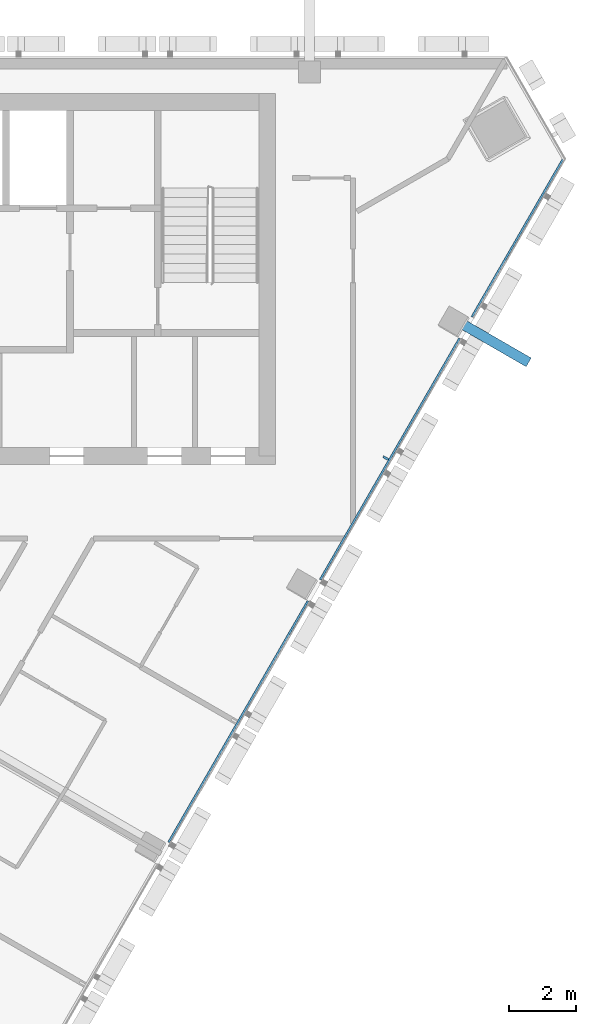
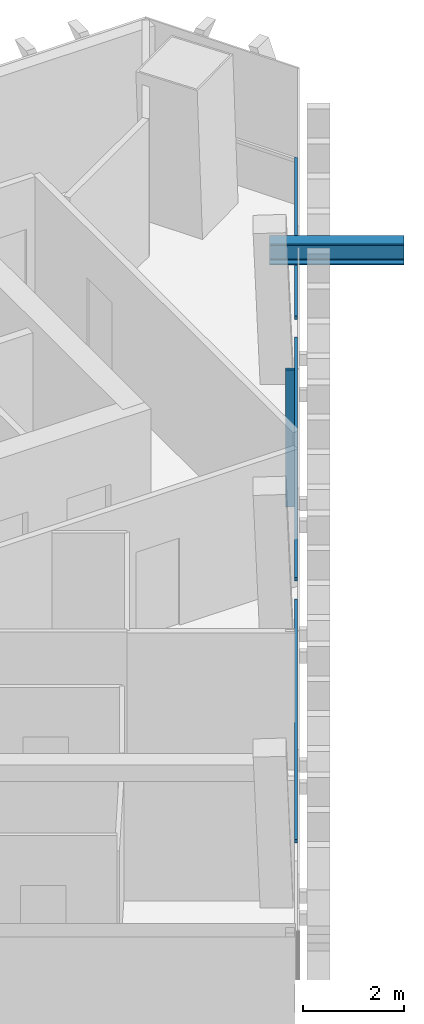
# One storey, part 4 of 12: 5 members, 1 element without a shape of its own.
"""IFC4 building model written with IfcOpenShell, lengths in metres."""

from ifc_helpers import new_model, si_unit, direction, frame, origin, origin_2d, place, context, subcontext, project, spatial, rectangle, i_section, extrude, material, layer, layer_set, material_profile, profile_set, type_object, element, aggregate, save


model = new_model("IFC4")

# Units and contexts
model_context = context("Model", 3, precision=1e-05, world=origin(), true_north=direction((0.0, 1.0)))
body_context = subcontext(model_context, "Body", "Model", "MODEL_VIEW")
ifc_project = project(units=[si_unit("LENGTHUNIT", "METRE"), si_unit("AREAUNIT", "SQUARE_METRE"), si_unit("VOLUMEUNIT", "CUBIC_METRE"), si_unit("PLANEANGLEUNIT", "RADIAN"), si_unit("MASSUNIT", "GRAM", prefix="KILO")], contexts=[model_context])

# Site, building, storey
site_placement = place(None, origin())
site = spatial("IfcSite", under=ifc_project, at=site_placement, CompositionType="ELEMENT")
building_placement = place(site_placement, origin())
building = spatial("IfcBuilding", under=site, at=building_placement, Name="Altiplano Prism Tower", CompositionType="ELEMENT")
storey_placement = place(building_placement, frame((0.0, 0.0, 331.0)))
storey = spatial("IfcBuildingStorey", under=building, at=storey_placement, Name="L86", CompositionType="ELEMENT", Elevation=331.0)

# Member
ifc_material_1 = material(Name="Steel S355", Category="steel")
ifc_material_profile_1 = material_profile(ifc_material_1, i_section(OverallWidth=0.300048828125, OverallDepth=0.5, WebThickness=0.014404296875, FlangeThickness=0.028076171875, FilletRadius=0.027099609375, at=origin_2d()), Name="Brace bracket HEB 500")
ifc_profile_set_1 = profile_set([ifc_material_profile_1], Name="Steel S355")
member_type_1 = type_object("IfcMemberType", Name="Brace bracket HEB 500", PredefinedType="STRUT", material=ifc_profile_set_1)
member_1_placement = place(storey_placement, frame((102.712158203125, 97.25439453125, 2.949951171875), z_axis=(0.866029095148, -0.499993606316, 0.0), x_axis=(0.499993606316, 0.866029095148, 0.0)))
element("IfcMember", 1, at=member_1_placement, inside=storey, type_object=member_type_1, Name="Brace bracket 2.334.6", PredefinedType="STRUT", context=body_context, shape_type="SweptSolid", body=[
    extrude(i_section(OverallWidth=0.300048828125, OverallDepth=0.5, WebThickness=0.014404296875, FlangeThickness=0.028076171875, FilletRadius=0.027099609375, at=origin_2d()), origin(), (0.0, 0.0, 1.0), 2.64990234375),
])

# Curtain wall, members
ifc_material_2 = material(Name="Aluminium and glass", Category="aluminium")
ifc_layer = layer(ifc_material_2, 0.280029296875)
ifc_layer_set = layer_set([ifc_layer], Name="Aluminium and glass")
curtain_wall_type = type_object("IfcCurtainWallType", Name="CW1 typical co-living unitised curtain wall", PredefinedType="NOTDEFINED", material=ifc_layer_set)
curtain_wall_placement = place(storey_placement, origin())
curtain_wall = element("IfcCurtainWall", 2, at=curtain_wall_placement, inside=storey, type_object=curtain_wall_type, Name="CW1 curtain wall south-east face L86", PredefinedType="NOTDEFINED")
ifc_material_3 = material(Name="Aluminium", Category="aluminium")
ifc_material_profile_2 = material_profile(ifc_material_3, rectangle(XDim=0.179931640625, YDim=0.06494140625, at=origin_2d()), Name="CW1 mullion 65 x 180")
ifc_profile_set_2 = profile_set([ifc_material_profile_2], Name="Aluminium")
member_type_2 = type_object("IfcMemberType", Name="CW1 mullion 65 x 180", PredefinedType="MULLION", material=ifc_profile_set_2)
member_2_placement = place(storey_placement, frame((100.767333984375, 93.088623046875, 0.0), z_axis=(0.0, 0.0, 1.0), x_axis=(-0.866025406324, 0.499999995602, 0.0)))
member_2 = element("IfcMember", 3, at=member_2_placement, type_object=member_type_2, Name="CW1 mullion", PredefinedType="MULLION", context=body_context, shape_type="SweptSolid", body=[
    extrude(rectangle(XDim=0.179931640625, YDim=0.06494140625, at=origin_2d()), origin(), (0.0, 0.0, 1.0), 3.300048828125),
])
ifc_material_profile_3 = material_profile(ifc_material_3, rectangle(XDim=0.06005859375, YDim=0.080078125, at=origin_2d()), Name="CW1 transom 80 x 60")
ifc_profile_set_3 = profile_set([ifc_material_profile_3], Name="Aluminium")
member_type_3 = type_object("IfcMemberType", Name="CW1 transom 80 x 60", PredefinedType="USERDEFINED", material=ifc_profile_set_3)
member_3_placement = place(storey_placement, frame((94.323486328125, 81.687744140625, 1.10009765625), z_axis=(0.50000951748, 0.866019908795, 0.0), x_axis=(-0.866019908795, 0.50000951748, 0.0)))
member_3 = element("IfcMember", 4, at=member_3_placement, type_object=member_type_3, Name="CW1 transom", ObjectType="TRANSOM", PredefinedType="USERDEFINED", context=body_context, shape_type="SweptSolid", body=[
    extrude(rectangle(XDim=0.06005859375, YDim=0.080078125, at=origin_2d()), origin(), (0.0, 0.0, 1.0), 8.269775390625),
])
member_4_placement = place(storey_placement, frame((98.823486328125, 89.48193359375, 1.10009765625), z_axis=(0.50000951748, 0.866019908795, 0.0), x_axis=(-0.866019908795, 0.50000951748, 0.0)))
member_4 = element("IfcMember", 5, at=member_4_placement, type_object=member_type_3, Name="CW1 transom", ObjectType="TRANSOM", PredefinedType="USERDEFINED", context=body_context, shape_type="SweptSolid", body=[
    extrude(rectangle(XDim=0.06005859375, YDim=0.080078125, at=origin_2d()), origin(), (0.0, 0.0, 1.0), 8.269775390625),
])
member_5_placement = place(storey_placement, frame((103.323486328125, 97.276123046875, 1.10009765625), z_axis=(0.500006352507, 0.866021736132, 0.0), x_axis=(-0.866021736132, 0.500006352507, 0.0)))
member_5 = element("IfcMember", 6, at=member_5_placement, type_object=member_type_3, Name="CW1 transom", ObjectType="TRANSOM", PredefinedType="USERDEFINED", context=body_context, shape_type="SweptSolid", body=[
    extrude(rectangle(XDim=0.06005859375, YDim=0.080078125, at=origin_2d()), origin(), (0.0, 0.0, 1.0), 5.458984375),
])
aggregate(curtain_wall, [member_3, member_2, member_4, member_5])

save(model, "model.ifc")
